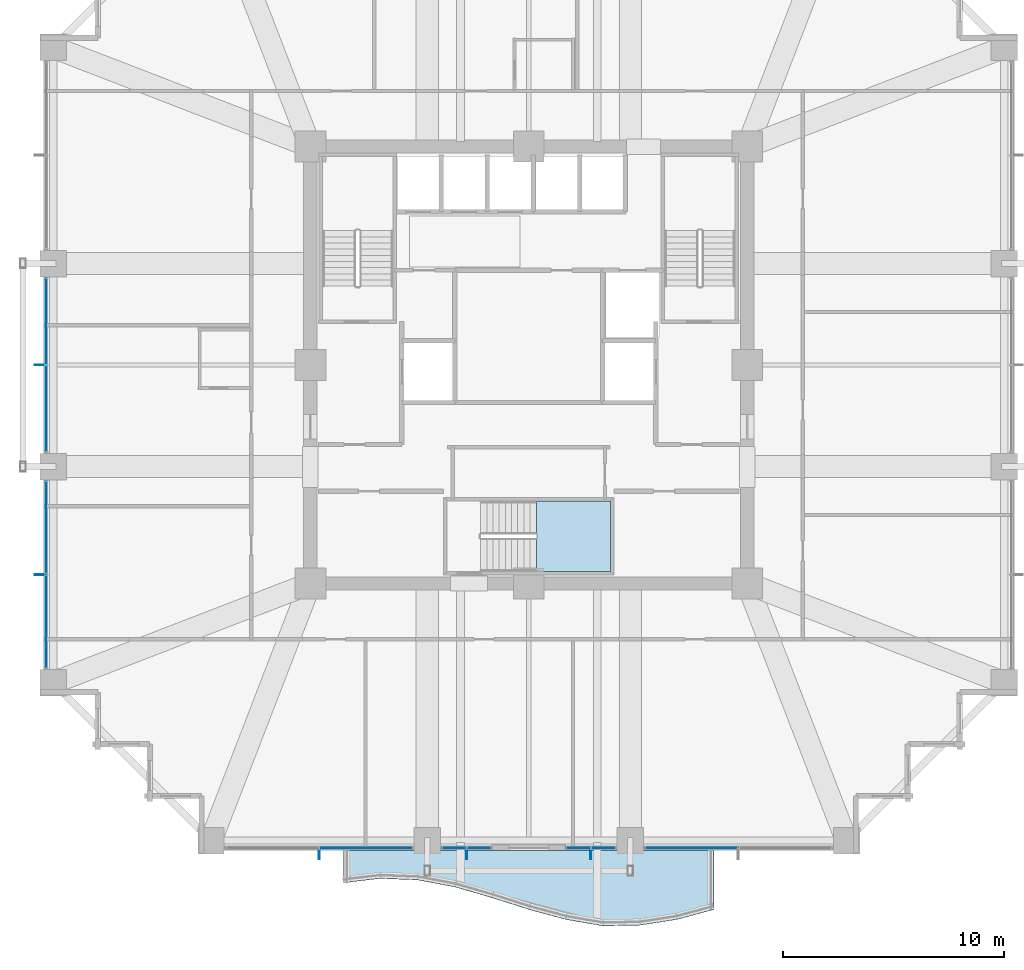
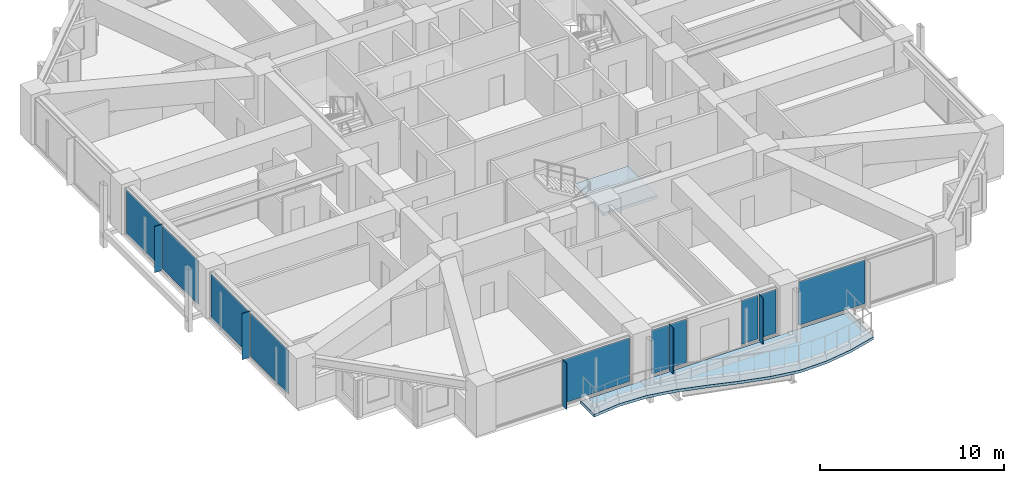
# One storey, part 26 of 37: 15 plates, 2 slabs, 7 elements without a shape of their own.
"""IFC4 building model written with IfcOpenShell, lengths in metres."""

from ifc_helpers import new_model, si_unit, direction, frame, origin, origin_2d, place, context, subcontext, project, spatial, polyline, rectangle, outline, extrude, material, layer, layer_set, type_object, element, aggregate, save


model = new_model("IFC4")

# Units and contexts
model_context = context("Model", 3, precision=1e-05, world=origin(), true_north=direction((0.0, 1.0)))
body_context = subcontext(model_context, "Body", "Model", "MODEL_VIEW")
ifc_project = project(units=[si_unit("LENGTHUNIT", "METRE"), si_unit("AREAUNIT", "SQUARE_METRE"), si_unit("VOLUMEUNIT", "CUBIC_METRE"), si_unit("PLANEANGLEUNIT", "RADIAN"), si_unit("MASSUNIT", "GRAM", prefix="KILO")], contexts=[model_context])

# Site, building, storey
site_placement = place(None, origin())
site = spatial("IfcSite", under=ifc_project, at=site_placement, CompositionType="ELEMENT")
building_placement = place(site_placement, origin())
building = spatial("IfcBuilding", under=site, at=building_placement, Name="Kolvaren Belvedere", CompositionType="ELEMENT")
storey_placement = place(building_placement, frame((0.0, 0.0, 43.60009765625)))
storey = spatial("IfcBuildingStorey", under=building, at=storey_placement, Name="L12", CompositionType="ELEMENT", Elevation=43.60009765625)

# Curtain wall, plate
ifc_material_1 = material(Name="Anodised pale-metal aluminium AA 6063-T6", Category="aluminium")
curtain_wall_type = type_object("IfcCurtainWallType", Name="CW-Z1-LOW", PredefinedType="NOTDEFINED", material=ifc_material_1)
curtain_wall_1_placement = place(storey_placement, origin())
curtain_wall_1 = element("IfcCurtainWall", 1, at=curtain_wall_1_placement, inside=storey, type_object=curtain_wall_type, Name="L12 Unitised Curtain Wall FCW-L12-S1-B1", PredefinedType="NOTDEFINED")
ifc_material_2 = material(Name="Low-iron triple insulated glass", Category="glass")
ifc_layer_1 = layer(ifc_material_2, 0.028076171875)
ifc_layer_set_1 = layer_set([ifc_layer_1], Name="Low-iron triple insulated glass")
plate_type_1 = type_object("IfcPlateType", Name="CW-PNL-VIS28", PredefinedType="CURTAIN_PANEL", material=ifc_layer_set_1)
plate_1_placement = place(storey_placement, frame((7.37744140625, -21.8798828125, 0.079833984375), z_axis=(0.0, 0.0, 1.0), x_axis=(-1.0, 0.0, 0.0)))
plate_1 = element("IfcPlate", 2, at=plate_1_placement, type_object=plate_type_1, Name="FCW-L12-S1-B1 Vision Glazing Panel 2", PredefinedType="CURTAIN_PANEL", context=body_context, shape_type="SweptSolid", body=[
    extrude(rectangle(XDim=4.1650390625, YDim=0.028076171875, at=origin_2d()), origin(), (0.0, 0.0, 1.0), 2.89990234375),
])
aggregate(curtain_wall_1, [plate_1])

# Curtain wall, plates
curtain_wall_2_placement = place(storey_placement, origin())
curtain_wall_2 = element("IfcCurtainWall", 3, at=curtain_wall_2_placement, inside=storey, type_object=curtain_wall_type, Name="L12 Unitised Curtain Wall FCW-L12-S1-B2", PredefinedType="NOTDEFINED")
plate_2_placement = place(storey_placement, frame((3.37890625, -21.8798828125, 0.079833984375), z_axis=(0.0, 0.0, 1.0), x_axis=(-1.0, 0.0, 0.0)))
plate_2 = element("IfcPlate", 4, at=plate_2_placement, type_object=plate_type_1, Name="FCW-L12-S1-B2 Vision Glazing Panel 1", PredefinedType="CURTAIN_PANEL", context=body_context, shape_type="SweptSolid", body=[
    extrude(rectangle(XDim=1.052490234375, YDim=0.028076171875, at=origin_2d()), origin(), (0.0, 0.0, 1.0), 2.89990234375),
])
plate_3_placement = place(storey_placement, frame((2.24609375, -21.8798828125, 0.079833984375), z_axis=(0.0, 0.0, 1.0), x_axis=(-1.0, 0.0, 0.0)))
plate_3 = element("IfcPlate", 5, at=plate_3_placement, type_object=plate_type_1, Name="FCW-L12-S1-B2 Vision Glazing Panel 2", PredefinedType="CURTAIN_PANEL", context=body_context, shape_type="SweptSolid", body=[
    extrude(rectangle(XDim=1.052490234375, YDim=0.028076171875, at=origin_2d()), origin(), (0.0, 0.0, 1.0), 2.89990234375),
])
aggregate(curtain_wall_2, [plate_2, plate_3])

curtain_wall_3_placement = place(storey_placement, origin())
curtain_wall_3 = element("IfcCurtainWall", 6, at=curtain_wall_3_placement, inside=storey, type_object=curtain_wall_type, Name="L12 Unitised Curtain Wall FCW-L12-S2-B1", PredefinedType="NOTDEFINED")
plate_4_placement = place(storey_placement, frame((-2.24609375, -21.8798828125, 0.079833984375), z_axis=(0.0, 0.0, 1.0), x_axis=(-1.0, 0.0, 0.0)))
plate_4 = element("IfcPlate", 7, at=plate_4_placement, type_object=plate_type_1, Name="FCW-L12-S2-B1 Vision Glazing Panel 1", PredefinedType="CURTAIN_PANEL", context=body_context, shape_type="SweptSolid", body=[
    extrude(rectangle(XDim=1.052490234375, YDim=0.028076171875, at=origin_2d()), origin(), (0.0, 0.0, 1.0), 2.89990234375),
])
plate_5_placement = place(storey_placement, frame((-3.378662109375, -21.8798828125, 0.079833984375), z_axis=(0.0, 0.0, 1.0), x_axis=(-1.0, 0.0, 0.0)))
plate_5 = element("IfcPlate", 8, at=plate_5_placement, type_object=plate_type_1, Name="FCW-L12-S2-B1 Vision Glazing Panel 2", PredefinedType="CURTAIN_PANEL", context=body_context, shape_type="SweptSolid", body=[
    extrude(rectangle(XDim=1.052490234375, YDim=0.028076171875, at=origin_2d()), origin(), (0.0, 0.0, 1.0), 2.89990234375),
])
aggregate(curtain_wall_3, [plate_4, plate_5])

# Curtain wall, plate
curtain_wall_4_placement = place(storey_placement, origin())
curtain_wall_4 = element("IfcCurtainWall", 9, at=curtain_wall_4_placement, inside=storey, type_object=curtain_wall_type, Name="L12 Unitised Curtain Wall FCW-L12-S2-B2", PredefinedType="NOTDEFINED")
plate_6_placement = place(storey_placement, frame((-7.37744140625, -21.8798828125, 0.079833984375), z_axis=(0.0, 0.0, 1.0), x_axis=(-1.0, 0.0, 0.0)))
plate_6 = element("IfcPlate", 10, at=plate_6_placement, type_object=plate_type_1, Name="FCW-L12-S2-B2 Vision Glazing Panel 1", PredefinedType="CURTAIN_PANEL", context=body_context, shape_type="SweptSolid", body=[
    extrude(rectangle(XDim=4.1650390625, YDim=0.028076171875, at=origin_2d()), origin(), (0.0, 0.0, 1.0), 2.89990234375),
])
aggregate(curtain_wall_4, [plate_6])

# Curtain wall, plates
curtain_wall_5_placement = place(storey_placement, origin())
curtain_wall_5 = element("IfcCurtainWall", 11, at=curtain_wall_5_placement, inside=storey, type_object=curtain_wall_type, Name="L12 Unitised Curtain Wall FCW-L12-W-B1", PredefinedType="NOTDEFINED")
plate_7_placement = place(storey_placement, frame((-21.8798828125, -11.62255859375, 0.079833984375), z_axis=(0.0, 0.0, 1.0), x_axis=(0.0, 1.0, 0.0)))
plate_7 = element("IfcPlate", 12, at=plate_7_placement, type_object=plate_type_1, Name="FCW-L12-W-B1 Vision Glazing Panel 1", PredefinedType="CURTAIN_PANEL", context=body_context, shape_type="SweptSolid", body=[
    extrude(rectangle(XDim=4.1650390625, YDim=0.028076171875, at=origin_2d()), origin(), (0.0, 0.0, 1.0), 2.89990234375),
])
plate_8_placement = place(storey_placement, frame((-21.8798828125, -7.37744140625, 0.079833984375), z_axis=(0.0, 0.0, 1.0), x_axis=(0.0, 1.0, 0.0)))
plate_8 = element("IfcPlate", 13, at=plate_8_placement, type_object=plate_type_1, Name="FCW-L12-W-B1 Vision Glazing Panel 2", PredefinedType="CURTAIN_PANEL", context=body_context, shape_type="SweptSolid", body=[
    extrude(rectangle(XDim=4.1650390625, YDim=0.028076171875, at=origin_2d()), origin(), (0.0, 0.0, 1.0), 2.89990234375),
])
aggregate(curtain_wall_5, [plate_7, plate_8])

curtain_wall_6_placement = place(storey_placement, origin())
curtain_wall_6 = element("IfcCurtainWall", 14, at=curtain_wall_6_placement, inside=storey, type_object=curtain_wall_type, Name="L12 Unitised Curtain Wall FCW-L12-W-B2", PredefinedType="NOTDEFINED")
plate_9_placement = place(storey_placement, frame((-21.8798828125, -1.972412109375, 0.079833984375), z_axis=(0.0, 0.0, 1.0), x_axis=(0.0, 1.0, 0.0)))
plate_9 = element("IfcPlate", 15, at=plate_9_placement, type_object=plate_type_1, Name="FCW-L12-W-B2 Vision Glazing Panel 1", PredefinedType="CURTAIN_PANEL", context=body_context, shape_type="SweptSolid", body=[
    extrude(rectangle(XDim=3.864990234375, YDim=0.028076171875, at=origin_2d()), origin(), (0.0, 0.0, 1.0), 2.89990234375),
])
plate_10_placement = place(storey_placement, frame((-21.8798828125, 1.972412109375, 0.079833984375), z_axis=(0.0, 0.0, 1.0), x_axis=(0.0, 1.0, 0.0)))
plate_10 = element("IfcPlate", 16, at=plate_10_placement, type_object=plate_type_1, Name="FCW-L12-W-B2 Vision Glazing Panel 2", PredefinedType="CURTAIN_PANEL", context=body_context, shape_type="SweptSolid", body=[
    extrude(rectangle(XDim=3.864990234375, YDim=0.028076171875, at=origin_2d()), origin(), (0.0, 0.0, 1.0), 2.89990234375),
])
aggregate(curtain_wall_6, [plate_9, plate_10])

# Plates
ifc_material_3 = material(Name="Anodised pale-metal aluminium AA 6063-T6", Category="aluminium")
ifc_layer_2 = layer(ifc_material_3, 0.0380859375)
ifc_layer_set_2 = layer_set([ifc_layer_2], Name="Anodised pale-metal aluminium AA 6063-T6")
plate_type_2 = type_object("IfcPlateType", Name="FIN-VERT-450", PredefinedType="USERDEFINED", material=ifc_layer_set_2)
for number, where, z_axis, x_axis, name in (
    (17, (2.8125, -22.1650390625, -0.000244140625), (0.0, 0.0, 1.0), (0.0, 1.0, 0.0), "L12 Pale-Metal Vertical Shading Fin FCW-L12-S1-B2-1"),
    (18, (-2.8125, -22.1650390625, -0.000244140625), (0.0, 0.0, 1.0), (0.0, 1.0, 0.0), "L12 Pale-Metal Vertical Shading Fin FCW-L12-S2-B1-1"),
    (19, (-9.5, -22.1650390625, -0.000244140625), (0.0, 0.0, 1.0), (0.0, 1.0, 0.0), "L12 Pale-Metal Vertical Shading Fin FCW-L12-S2-B2-1"),
    (20, (-22.1650390625, -9.5, -0.000244140625), (0.0, 0.0, 1.0), (1.0, 0.0, 0.0), "L12 Pale-Metal Vertical Shading Fin FCW-L12-W-B1-1"),
    (21, (-22.1650390625, 0.0, -0.000244140625), (0.0, 0.0, 1.0), (1.0, 0.0, 0.0), "L12 Pale-Metal Vertical Shading Fin FCW-L12-W-B2-1"),
):
    element("IfcPlate", number, at=place(storey_placement, frame(where, z_axis=z_axis, x_axis=x_axis)), inside=storey, type_object=plate_type_2, Name=name, ObjectType="VERTICAL FIN", PredefinedType="USERDEFINED", context=body_context, shape_type="SweptSolid", body=[
        extrude(rectangle(XDim=0.449951171875, YDim=0.0380859375, at=origin_2d()), origin(), (0.0, 0.0, 1.0), 3.06005859375),
    ])

# Slab
ifc_material_4 = material(Name="Concrete C50/60", Category="concrete")
ifc_layer_3 = layer(ifc_material_4, 0.179931640625)
ifc_layer_set_3 = layer_set([ifc_layer_3], Name="Concrete C50/60")
slab_type_1 = type_object("IfcSlabType", Name="SL-BAL-180", PredefinedType="FLOOR", material=ifc_layer_set_3)
slab_1_placement = place(storey_placement, frame((0.0, 0.0, -0.239990234375)))
element("IfcSlab", 22, at=slab_1_placement, inside=storey, type_object=slab_type_1, Name="L12 Planted Balcony BAL-S", PredefinedType="FLOOR", context=body_context, shape_type="SweptSolid", body=[
    extrude(outline(polyline([(-8.39990234375, -23.46630859375), (-6.719970703125, -23.2685546875), (-5.0400390625, -23.335693359375), (-3.360107421875, -23.651611328125), (-1.679931640625, -24.1376953125), (0.0, -24.673583984375), (1.679931640625, -25.127197265625), (3.360107421875, -25.419921875), (5.0400390625, -25.385986328125), (6.719970703125, -25.127197265625), (8.39990234375, -24.673583984375), (8.39990234375, -22.0), (6.719970703125, -22.0), (5.0400390625, -22.0), (3.360107421875, -22.0), (1.679931640625, -22.0), (0.0, -22.0), (-1.679931640625, -22.0), (-3.360107421875, -22.0), (-5.0400390625, -22.0), (-6.719970703125, -22.0), (-8.39990234375, -22.0), (-8.39990234375, -23.46630859375)])), origin(), (0.0, 0.0, 1.0), 0.179931640625),
])

# Stair, slab
ifc_material_5 = material(Name="Concrete C50/60", Category="concrete")
stair_type = type_object("IfcStairType", Name="ST-CORE-1520", PredefinedType="HALF_TURN_STAIR", material=ifc_material_5)
stair_placement = place(storey_placement, origin())
stair = element("IfcStair", 23, at=stair_placement, inside=storey, type_object=stair_type, Name="L12 Protected Exit Stair ST-3", PredefinedType="HALF_TURN_STAIR")
ifc_material_6 = material(Name="Concrete C50/60", Category="concrete")
ifc_layer_4 = layer(ifc_material_6, 0.260009765625)
ifc_layer_set_4 = layer_set([ifc_layer_4], Name="Concrete C50/60")
slab_type_2 = type_object("IfcSlabType", Name="SL-LAND-260", PredefinedType="LANDING", material=ifc_layer_set_4)
slab_2_placement = place(storey_placement, frame((0.0, 0.0, 1.449951171875)))
slab_2 = element("IfcSlab", 24, at=slab_2_placement, type_object=slab_type_2, Name="ST-3 landing 1", PredefinedType="LANDING", context=body_context, shape_type="SweptSolid", body=[
    extrude(outline(polyline([(0.340087890625, -9.35009765625), (3.699951171875, -9.35009765625), (3.699951171875, -6.159912109375), (0.340087890625, -6.159912109375), (0.340087890625, -9.35009765625)])), origin(), (0.0, 0.0, 1.0), 0.199951171875),
])
aggregate(stair, [slab_2])

save(model, "model.ifc")
